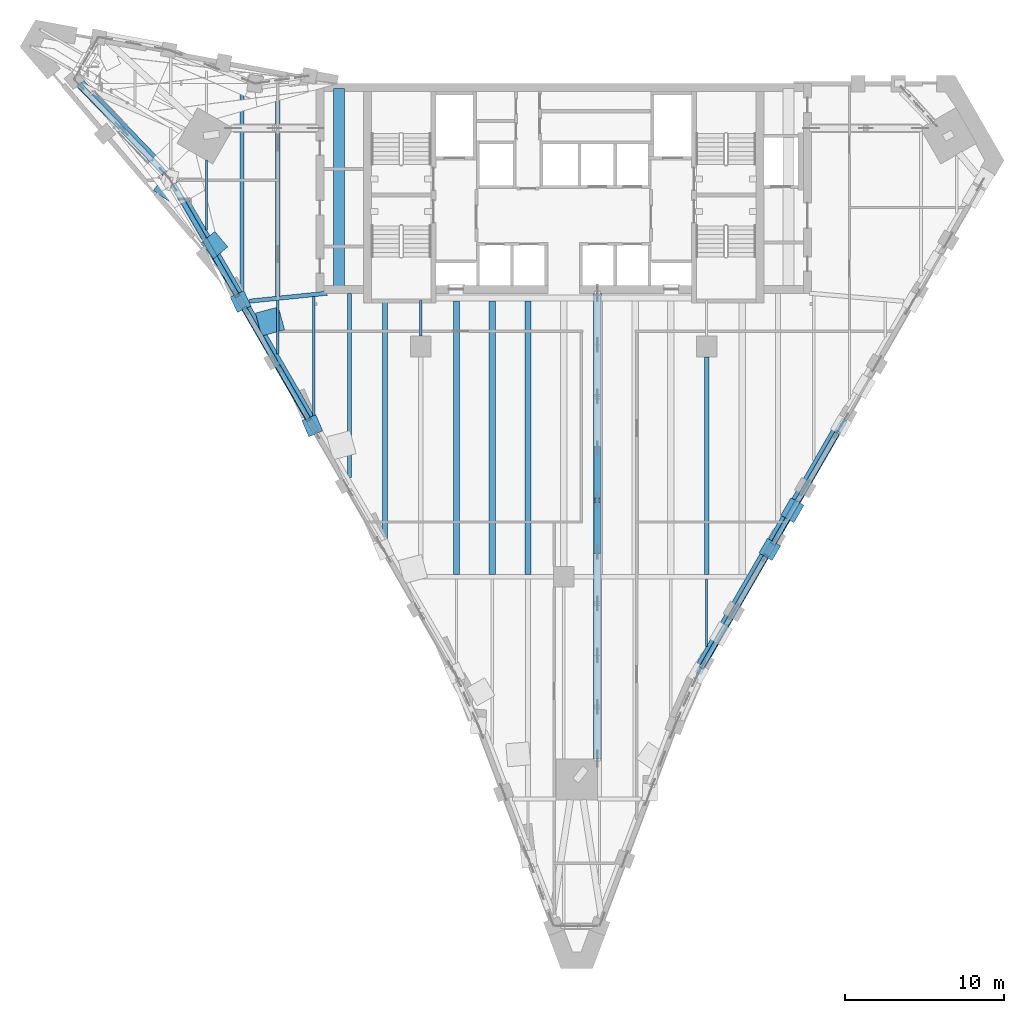
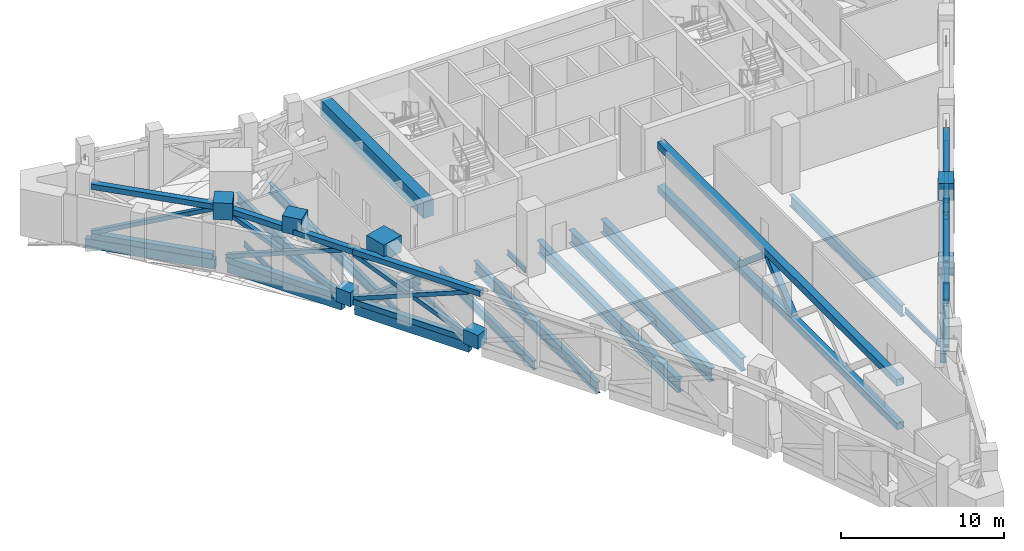
# One storey, part 3 of 22: 27 beams, 27 members.
"""IFC4 building model written with IfcOpenShell, lengths in metres."""

import ifcopenshell
import ifcopenshell.guid

model = None  # the IFC model being written
_history = None  # IfcOwnerHistory: only IFC2X3 demands one
_inside = {}  # id of a spatial element -> (the spatial element, [elements in it])
_under = {}  # id of a project, library or spatial element -> (it, [spatial elements below it])
_declared = {}  # id of a project -> (the project, [libraries it declares])
_typed = {}  # id of a type object -> (the type object, [elements of that type])
_made_of = {}  # id of a material, layer set ... -> (it, [elements and type objects made of it])


def new_model(schema):
    """Start an empty IFC model of exactly this schema.

    Asked for "IFC4X3", IfcOpenShell would pick the latest addendum, in which some entities
    have other attributes; the version numbers below select the first issue.
    IFC2X3 requires an IfcOwnerHistory on every rooted entity: one is made here for all.
    """
    global model, _history
    if schema == "IFC4X3":
        model = ifcopenshell.file(schema_version=(4, 3, 0, 0))
    else:
        model = ifcopenshell.file(schema=schema)
    _inside.clear()
    _under.clear()
    _declared.clear()
    _typed.clear()
    _made_of.clear()
    _history = None
    if model.schema == "IFC2X3":
        org = make("IfcOrganization", Name="unknown")
        user = make(
            "IfcPersonAndOrganization",
            ThePerson=make("IfcPerson", FamilyName="unknown"),
            TheOrganization=org,
        )
        app = make(
            "IfcApplication",
            ApplicationDeveloper=org,
            Version="unknown",
            ApplicationFullName="unknown",
            ApplicationIdentifier="unknown",
        )
        _history = make(
            "IfcOwnerHistory",
            OwningUser=user,
            OwningApplication=app,
            ChangeAction="ADDED",
            CreationDate=0,
        )
    return model


def make(cls, **values):
    """One entity of the class cls with the attributes given. An attribute that is None is left unset."""
    return model.create_entity(
        cls, **{name: value for name, value in values.items() if value is not None}
    )


def rooted(cls, **values):
    """An entity with a GlobalId (a new one), such as an element, a storey or a relation."""
    return make(cls, GlobalId=ifcopenshell.guid.new(), OwnerHistory=_history, **values)


def si_unit(unit_type, name, prefix=None):
    """IfcSIUnit, for example si_unit("LENGTHUNIT", "METRE", prefix="MILLI")."""
    return make("IfcSIUnit", UnitType=unit_type, Prefix=prefix, Name=name)


def assignment(units):
    """IfcUnitAssignment: the units of a project."""
    return None if units is None else make("IfcUnitAssignment", Units=units)


def point(xyz):
    """IfcCartesianPoint."""
    return None if xyz is None else make("IfcCartesianPoint", Coordinates=xyz)


def direction(xyz):
    """IfcDirection."""
    return None if xyz is None else make("IfcDirection", DirectionRatios=xyz)


def frame(location, z_axis=None, x_axis=None):
    """IfcAxis2Placement3D, a coordinate frame: its origin and axes. An axis left out is left unset."""
    return make(
        "IfcAxis2Placement3D",
        Location=point(location),
        Axis=direction(z_axis),
        RefDirection=direction(x_axis),
    )


def frame_2d(location, x_axis=None):
    """IfcAxis2Placement2D, a coordinate frame in the plane: its origin and x axis."""
    return make(
        "IfcAxis2Placement2D", Location=point(location), RefDirection=direction(x_axis)
    )


def origin():
    """The frame at (0, 0, 0) with its axes left unset."""
    return frame((0.0, 0.0, 0.0))


def origin_2d():
    """The frame at (0, 0) in the plane with its x axis left unset."""
    return frame_2d((0.0, 0.0))


def place(relative_to, where):
    """IfcLocalPlacement: puts the frame where relative to a parent placement (None: the world)."""
    return make(
        "IfcLocalPlacement", PlacementRelTo=relative_to, RelativePlacement=where
    )


def context(
    kind, dimensions, precision=None, world=None, true_north=None, identifier=None
):
    """IfcGeometricRepresentationContext, for example the 3D "Model" context."""
    return make(
        "IfcGeometricRepresentationContext",
        ContextIdentifier=identifier,
        ContextType=kind,
        CoordinateSpaceDimension=dimensions,
        Precision=precision,
        WorldCoordinateSystem=world,
        TrueNorth=true_north,
    )


def subcontext(parent, identifier, kind, view, scale=None):
    """IfcGeometricRepresentationSubContext, for example "Body" below "Model"."""
    return make(
        "IfcGeometricRepresentationSubContext",
        ContextIdentifier=identifier,
        ContextType=kind,
        ParentContext=parent,
        TargetScale=scale,
        TargetView=view,
    )


def project(units=None, contexts=None):
    """IfcProject with its units and contexts."""
    return rooted(
        "IfcProject",
        Name="project",
        RepresentationContexts=contexts,
        UnitsInContext=assignment(units),
    )


def spatial(cls, under=None, at=None, **own):
    """A site, building, storey or space (cls), placed at a placement, below another one or the project."""
    s = rooted(cls, ObjectPlacement=at, **own)
    if under is not None:
        _under.setdefault(under.id(), (under, []))[1].append(s)
    return s


def profile(cls, at=None, kind="AREA", **sizes):
    """A parametric profile (cls). Its sizes go by their IFC names, for example OverallWidth=200.0."""
    return make(cls, ProfileType=kind, Position=at, **sizes)


def rectangle(**sizes):
    """IfcRectangleProfileDef."""
    return profile("IfcRectangleProfileDef", **sizes)


def hollow_rectangle(**sizes):
    """IfcRectangleHollowProfileDef."""
    return profile("IfcRectangleHollowProfileDef", **sizes)


def i_section(**sizes):
    """IfcIShapeProfileDef."""
    return profile("IfcIShapeProfileDef", **sizes)


def extrude(swept, where, along, depth):
    """IfcExtrudedAreaSolid: the profile swept, set in the frame where, extruded along a direction by depth."""
    return make(
        "IfcExtrudedAreaSolid",
        SweptArea=swept,
        Position=where,
        ExtrudedDirection=direction(along),
        Depth=depth,
    )


def shape(context_of_items, identifier, shape_type, items):
    """IfcShapeRepresentation: the items that make up one representation, for example the "Body"."""
    return make(
        "IfcShapeRepresentation",
        ContextOfItems=context_of_items,
        RepresentationIdentifier=identifier,
        RepresentationType=shape_type,
        Items=items,
    )


def material(Name=None, Category=None):
    """IfcMaterial."""
    return make("IfcMaterial", Name=Name, Category=Category)


def material_profile(
    of_material, cross_section, Name=None, Category=None, Priority=None
):
    """IfcMaterialProfile: a cross section and its material."""
    return make(
        "IfcMaterialProfile",
        Name=Name,
        Material=of_material,
        Profile=cross_section,
        Priority=Priority,
        Category=Category,
    )


def profile_set(profiles, Name=None, composite=None):
    """IfcMaterialProfileSet."""
    return make(
        "IfcMaterialProfileSet",
        Name=Name,
        MaterialProfiles=profiles,
        CompositeProfile=composite,
    )


def made_of(thing, what):
    """Note that an element or type object is made of a material, layer set ...; save() writes the relation."""
    if what is not None:
        _made_of.setdefault(what.id(), (what, []))[1].append(thing)
    return thing


def type_object(cls, material=None, **own):
    """A type object (cls), such as IfcWallType, which elements share."""
    return made_of(rooted(cls, **own), material)


def element(
    cls,
    number,
    at=None,
    inside=None,
    cuts=None,
    type_object=None,
    material=None,
    context=None,
    identifier="Body",
    shape_type=None,
    held_by="IfcProductDefinitionShape",
    body=None,
    shapes=None,
    **own,
):
    """One element of the class cls, such as IfcWall. Its Tag is "e" and its number.

    at: its placement. inside: the storey or other place that contains it. cuts: it is an
    opening in that element (IfcRelVoidsElement). A single representation is given by context,
    identifier, shape_type and body (its items); several are given by shapes. held_by: the class
    of the entity that holds the representations. save() writes the other relations.
    """
    e = rooted(cls, Tag="e%d" % number, ObjectPlacement=at, **own)
    if body is not None:
        shapes = [shape(context, identifier, shape_type, body)]
    if shapes is not None:
        e.Representation = make(held_by, Representations=shapes)
    if inside is not None:
        _inside.setdefault(inside.id(), (inside, []))[1].append(e)
    if cuts is not None:
        rooted(
            "IfcRelVoidsElement", RelatingBuildingElement=cuts, RelatedOpeningElement=e
        )
    if type_object is not None:
        _typed.setdefault(type_object.id(), (type_object, []))[1].append(e)
    return made_of(e, material)


def aggregate(whole, parts):
    """IfcRelAggregates: a whole, such as a stair, and the parts it consists of."""
    return rooted("IfcRelAggregates", RelatingObject=whole, RelatedObjects=parts)


def save(model, path):
    """Write the relations noted so far, then the file.

    IfcRelAggregates (storeys below a building ...), IfcRelContainedInSpatialStructure (elements
    in a storey), IfcRelDefinesByType, IfcRelAssociatesMaterial and IfcRelDeclares: one each for
    every whole, place, type object, material and project.
    """
    for whole, parts in _under.values():
        aggregate(whole, parts)
    for where, things in _inside.values():
        rooted(
            "IfcRelContainedInSpatialStructure",
            RelatedElements=things,
            RelatingStructure=where,
        )
    for kind, things in _typed.values():
        rooted("IfcRelDefinesByType", RelatedObjects=things, RelatingType=kind)
    for what, things in _made_of.values():
        rooted("IfcRelAssociatesMaterial", RelatedObjects=things, RelatingMaterial=what)
    for by, libraries in _declared.values():
        rooted("IfcRelDeclares", RelatingContext=by, RelatedDefinitions=libraries)
    model.write(path)


model = new_model("IFC4")

# Units and contexts
model_context = context("Model", 3, precision=1e-05, world=origin(), true_north=direction((0.0, 1.0)))
body_context = subcontext(model_context, "Body", "Model", "MODEL_VIEW")
ifc_project = project(units=[si_unit("LENGTHUNIT", "METRE"), si_unit("AREAUNIT", "SQUARE_METRE"), si_unit("VOLUMEUNIT", "CUBIC_METRE"), si_unit("PLANEANGLEUNIT", "RADIAN"), si_unit("MASSUNIT", "GRAM", prefix="KILO")], contexts=[model_context])

# Site, building, storey
site_placement = place(None, origin())
site = spatial("IfcSite", under=ifc_project, at=site_placement, CompositionType="ELEMENT")
building_placement = place(site_placement, origin())
building = spatial("IfcBuilding", under=site, at=building_placement, Name="Calabash Gate Tower", CompositionType="ELEMENT")
storey_placement = place(building_placement, frame((0.0, 0.0, 191.39990234375)))
storey = spatial("IfcBuildingStorey", under=building, at=storey_placement, Name="L45", CompositionType="ELEMENT", Elevation=191.39990234375)

# Members
ifc_material_1 = material(Name="Steel ASTM A500 Gr C", Category="steel")
ifc_material_profile_1 = material_profile(ifc_material_1, hollow_rectangle(XDim=0.406494140625, YDim=0.406494140625, WallThickness=0.015869140625, at=origin_2d()))
ifc_profile_set_1 = profile_set([ifc_material_profile_1], Name="Steel ASTM A500 Gr C")
member_type_1 = type_object("IfcMemberType", Name="Belt truss chord HSS16X16X.625 ASTM A500 Gr C", PredefinedType="CHORD", material=ifc_profile_set_1)
member_1_placement = place(storey_placement, frame((8.69677734375, -17.692626953125, 0.203369140625), z_axis=(0.499977274689, 0.866038523851, 0.0), x_axis=(-0.866038523851, 0.499977274689, 0.0)))
element("IfcMember", 1, at=member_1_placement, inside=storey, type_object=member_type_1, Name="Belt chord L45 41", PredefinedType="CHORD", context=body_context, shape_type="SweptSolid", body=[
    extrude(hollow_rectangle(XDim=0.406494140625, YDim=0.406494140625, WallThickness=0.015869140625, at=origin_2d()), origin(), (0.0, 0.0, 1.0), 8.10009765625),
])
member_2_placement = place(storey_placement, frame((8.470947265625, -18.0830078125, 3.927001953125), z_axis=(0.500010016514, 0.86601962067, 0.0), x_axis=(-0.86601962067, 0.500010016514, 0.0)))
element("IfcMember", 2, at=member_2_placement, inside=storey, type_object=member_type_1, Name="Belt chord L45 42", PredefinedType="CHORD", context=body_context, shape_type="SweptSolid", body=[
    extrude(hollow_rectangle(XDim=0.406494140625, YDim=0.406494140625, WallThickness=0.015869140625, at=origin_2d()), origin(), (0.0, 0.0, 1.0), 9.455810546875),
])
member_3_placement = place(storey_placement, frame((13.19677734375, -9.898193359375, 0.203369140625), z_axis=(0.499990325971, 0.866030989016, 0.0), x_axis=(-0.866030989016, 0.499990325971, 0.0)))
element("IfcMember", 3, at=member_3_placement, inside=storey, type_object=member_type_1, Name="Belt chord L45 46", PredefinedType="CHORD", context=body_context, shape_type="SweptSolid", body=[
    extrude(hollow_rectangle(XDim=0.406494140625, YDim=0.406494140625, WallThickness=0.015869140625, at=origin_2d()), origin(), (0.0, 0.0, 1.0), 8.099853515625),
])
member_4_placement = place(storey_placement, frame((13.19677734375, -9.898193359375, 3.927001953125), z_axis=(0.499997052475, 0.866027105532, 0.0), x_axis=(-0.866027105532, 0.499997052475, 0.0)))
element("IfcMember", 4, at=member_4_placement, inside=storey, type_object=member_type_1, Name="Belt chord L45 47", PredefinedType="CHORD", context=body_context, shape_type="SweptSolid", body=[
    extrude(hollow_rectangle(XDim=0.406494140625, YDim=0.406494140625, WallThickness=0.015869140625, at=origin_2d()), origin(), (0.0, 0.0, 1.0), 9.00439453125),
])
member_5_placement = place(storey_placement, frame((-30.514892578125, 18.997802734375, 0.203369140625), z_axis=(0.693793096856, -0.720174380796, 0.0), x_axis=(0.720174380796, 0.693793096856, 0.0)))
element("IfcMember", 5, at=member_5_placement, inside=storey, type_object=member_type_1, Name="Belt chord L45 86", PredefinedType="CHORD", context=body_context, shape_type="SweptSolid", body=[
    extrude(hollow_rectangle(XDim=0.406494140625, YDim=0.406494140625, WallThickness=0.015869140625, at=origin_2d()), origin(), (0.0, 0.0, 1.0), 7.745849609375),
])
member_6_placement = place(storey_placement, frame((-30.514892578125, 18.997802734375, 3.927001953125), z_axis=(0.693802538061, -0.72016528532, 0.0), x_axis=(0.72016528532, 0.693802538061, 0.0)))
element("IfcMember", 6, at=member_6_placement, inside=storey, type_object=member_type_1, Name="Belt chord L45 87", PredefinedType="CHORD", context=body_context, shape_type="SweptSolid", body=[
    extrude(hollow_rectangle(XDim=0.406494140625, YDim=0.406494140625, WallThickness=0.015869140625, at=origin_2d()), origin(), (0.0, 0.0, 1.0), 7.816162109375),
])
member_7_placement = place(storey_placement, frame((-24.599365234375, 12.698486328125, 0.203369140625), z_axis=(0.500013195037, -0.866017785492, 0.0), x_axis=(0.866017785492, 0.500013195037, 0.0)))
element("IfcMember", 7, at=member_7_placement, inside=storey, type_object=member_type_1, Name="Belt chord L45 91", PredefinedType="CHORD", context=body_context, shape_type="SweptSolid", body=[
    extrude(hollow_rectangle(XDim=0.406494140625, YDim=0.406494140625, WallThickness=0.015869140625, at=origin_2d()), origin(), (0.0, 0.0, 1.0), 8.092529296875),
])
member_8_placement = place(storey_placement, frame((-24.599365234375, 12.698486328125, 3.927001953125), z_axis=(0.50002307813, -0.86601207921, 0.0), x_axis=(0.86601207921, 0.50002307813, 0.0)))
element("IfcMember", 8, at=member_8_placement, inside=storey, type_object=member_type_1, Name="Belt chord L45 92", PredefinedType="CHORD", context=body_context, shape_type="SweptSolid", body=[
    extrude(hollow_rectangle(XDim=0.406494140625, YDim=0.406494140625, WallThickness=0.015869140625, at=origin_2d()), origin(), (0.0, 0.0, 1.0), 8.998046875),
])
member_9_placement = place(storey_placement, frame((-20.10302734375, 4.91064453125, 0.203369140625), z_axis=(0.500012932018, -0.866017937352, 0.0), x_axis=(0.866017937352, 0.500012932018, 0.0)))
element("IfcMember", 9, at=member_9_placement, inside=storey, type_object=member_type_1, Name="Belt chord L45 96", PredefinedType="CHORD", context=body_context, shape_type="SweptSolid", body=[
    extrude(hollow_rectangle(XDim=0.406494140625, YDim=0.406494140625, WallThickness=0.015869140625, at=origin_2d()), origin(), (0.0, 0.0, 1.0), 8.099853515625),
])
member_10_placement = place(storey_placement, frame((-20.10302734375, 4.91064453125, 3.927001953125), z_axis=(0.50003457322, -0.866005442006, 0.0), x_axis=(0.866005442006, 0.50003457322, 0.0)))
element("IfcMember", 10, at=member_10_placement, inside=storey, type_object=member_type_1, Name="Belt chord L45 97", PredefinedType="CHORD", context=body_context, shape_type="SweptSolid", body=[
    extrude(hollow_rectangle(XDim=0.406494140625, YDim=0.406494140625, WallThickness=0.015869140625, at=origin_2d()), origin(), (0.0, 0.0, 1.0), 9.005126953125),
])
ifc_material_2 = material(Name="Steel ASTM A500 Gr C", Category="steel")
ifc_material_profile_2 = material_profile(ifc_material_2, hollow_rectangle(XDim=0.3046875, YDim=0.3046875, WallThickness=0.0126953125, at=origin_2d()))
ifc_profile_set_2 = profile_set([ifc_material_profile_2], Name="Steel ASTM A500 Gr C")
member_type_2 = type_object("IfcMemberType", Name="Belt truss diagonal HSS12X12X.500 ASTM A500 Gr C", PredefinedType="BRACE", material=ifc_profile_set_2)
member_11_placement = place(storey_placement, frame((8.69677734375, -17.692626953125, 0.406494140625), z_axis=(0.462682120409, 0.801437506976, 0.37897648722), x_axis=(-0.866038523851, 0.499977274689, 0.0)))
element("IfcMember", 11, at=member_11_placement, inside=storey, type_object=member_type_2, Name="Belt diagonal L45 43", PredefinedType="BRACE", context=body_context, shape_type="SweptSolid", body=[
    extrude(hollow_rectangle(XDim=0.3046875, YDim=0.3046875, WallThickness=0.0126953125, at=origin_2d()), origin(), (0.0, 0.0, 1.0), 8.7529296875),
])
for number, where, z_axis, x_axis, name in (
    (12, (8.69677734375, -17.692626953125, 3.7236328125), (0.462679271023, 0.801441269637, -0.378972008846), (-0.866040873467, 0.499973204766, 0.0), "Belt diagonal (split) L45 44 half 1 of 2"),
    (13, (10.822265625, -14.010986328125, 1.982666015625), (0.462679271023, 0.801441269637, -0.378972008846), (-0.866040873467, 0.499973204766, 0.0), "Belt diagonal (split) L45 45 half 2 of 2"),
):
    element("IfcMember", number, at=place(storey_placement, frame(where, z_axis=z_axis, x_axis=x_axis)), inside=storey, type_object=member_type_2, Name=name, PredefinedType="BRACE", context=body_context, shape_type="SweptSolid", body=[
        extrude(hollow_rectangle(XDim=0.3046875, YDim=0.3046875, WallThickness=0.0126953125, at=origin_2d()), origin(), (0.0, 0.0, 1.0), 4.1591796875),
    ])
member_12_placement = place(storey_placement, frame((13.19677734375, -9.898193359375, 0.406494140625), z_axis=(0.462692463446, 0.801427529524, 0.378984959057), x_axis=(-0.866030989016, 0.499990325971, 0.0)))
element("IfcMember", 14, at=member_12_placement, inside=storey, type_object=member_type_2, Name="Belt diagonal L45 48", PredefinedType="BRACE", context=body_context, shape_type="SweptSolid", body=[
    extrude(hollow_rectangle(XDim=0.3046875, YDim=0.3046875, WallThickness=0.0126953125, at=origin_2d()), origin(), (0.0, 0.0, 1.0), 8.752685546875),
])
for number, where, z_axis, x_axis, name in (
    (15, (13.19677734375, -9.898193359375, 3.7236328125), (0.462679271023, 0.801441269637, -0.378972008846), (-0.866040873467, 0.499973204766, 0.0), "Belt diagonal (split) L45 49 half 1 of 2"),
    (16, (15.322265625, -6.216796875, 1.982666015625), (0.462679271023, 0.801441269637, -0.378972008846), (-0.866040873467, 0.499973204766, 0.0), "Belt diagonal (split) L45 50 half 2 of 2"),
):
    element("IfcMember", number, at=place(storey_placement, frame(where, z_axis=z_axis, x_axis=x_axis)), inside=storey, type_object=member_type_2, Name=name, PredefinedType="BRACE", context=body_context, shape_type="SweptSolid", body=[
        extrude(hollow_rectangle(XDim=0.3046875, YDim=0.3046875, WallThickness=0.0126953125, at=origin_2d()), origin(), (0.0, 0.0, 1.0), 4.1591796875),
    ])
member_13_placement = place(storey_placement, frame((-30.514892578125, 18.997802734375, 0.406494140625), z_axis=(0.637771433578, -0.662022509805, 0.39366711194), x_axis=(0.720174380796, 0.693793096856, 0.0)))
element("IfcMember", 17, at=member_13_placement, inside=storey, type_object=member_type_2, Name="Belt diagonal L45 88", PredefinedType="BRACE", context=body_context, shape_type="SweptSolid", body=[
    extrude(hollow_rectangle(XDim=0.3046875, YDim=0.3046875, WallThickness=0.0126953125, at=origin_2d()), origin(), (0.0, 0.0, 1.0), 8.42626953125),
])
member_14_placement = place(storey_placement, frame((-24.599365234375, 12.698486328125, 0.406494140625), z_axis=(0.462654431203, -0.801312785212, 0.379273908335), x_axis=(0.866017785492, 0.500013195037, 0.0)))
element("IfcMember", 18, at=member_14_placement, inside=storey, type_object=member_type_2, Name="Belt diagonal L45 93", PredefinedType="BRACE", context=body_context, shape_type="SweptSolid", body=[
    extrude(hollow_rectangle(XDim=0.3046875, YDim=0.3046875, WallThickness=0.0126953125, at=origin_2d()), origin(), (0.0, 0.0, 1.0), 8.74609375),
])
for number, where, z_axis, x_axis, name in (
    (19, (-24.599365234375, 12.698486328125, 3.7236328125), (0.462685412717, -0.801298759454, -0.379265747143), (0.865999496279, 0.500044870432, 0.0), "Belt diagonal (split) L45 94 half 1 of 2"),
    (20, (-22.4755859375, 9.020263671875, 1.982666015625), (0.462639240857, -0.801320539085, -0.379276055743), (0.866026989333, 0.499997253739, 0.0), "Belt diagonal (split) L45 95 half 2 of 2"),
):
    element("IfcMember", number, at=place(storey_placement, frame(where, z_axis=z_axis, x_axis=x_axis)), inside=storey, type_object=member_type_2, Name=name, PredefinedType="BRACE", context=body_context, shape_type="SweptSolid", body=[
        extrude(hollow_rectangle(XDim=0.3046875, YDim=0.3046875, WallThickness=0.0126953125, at=origin_2d()), origin(), (0.0, 0.0, 1.0), 4.15576171875),
    ])
member_15_placement = place(storey_placement, frame((-20.10302734375, 4.91064453125, 0.406494140625), z_axis=(0.462714384728, -0.801417186208, 0.378980067834), x_axis=(0.866017937352, 0.500012932018, 0.0)))
element("IfcMember", 21, at=member_15_placement, inside=storey, type_object=member_type_2, Name="Belt diagonal L45 98", PredefinedType="BRACE", context=body_context, shape_type="SweptSolid", body=[
    extrude(hollow_rectangle(XDim=0.3046875, YDim=0.3046875, WallThickness=0.0126953125, at=origin_2d()), origin(), (0.0, 0.0, 1.0), 8.752685546875),
])
for number, where, z_axis, x_axis, name in (
    (22, (-20.10302734375, 4.91064453125, 3.7236328125), (0.462725403696, -0.801419502304, -0.378961715878), (0.866013407032, 0.50002077841, 0.0), "Belt diagonal (split) L45 99 half 1 of 2"),
    (23, (-17.9775390625, 1.229248046875, 1.982666015625), (0.462725403696, -0.801419502304, -0.378961715878), (0.866013407032, 0.50002077841, 0.0), "Belt diagonal (split) L45 100 half 2 of 2"),
):
    element("IfcMember", number, at=place(storey_placement, frame(where, z_axis=z_axis, x_axis=x_axis)), inside=storey, type_object=member_type_2, Name=name, PredefinedType="BRACE", context=body_context, shape_type="SweptSolid", body=[
        extrude(hollow_rectangle(XDim=0.3046875, YDim=0.3046875, WallThickness=0.0126953125, at=origin_2d()), origin(), (0.0, 0.0, 1.0), 4.1591796875),
    ])

# Beams
ifc_material_3 = material(Name="Concrete C80/95", Category="concrete")
ifc_material_profile_3 = material_profile(ifc_material_3, rectangle(XDim=0.699951171875, YDim=1.25, at=origin_2d()))
ifc_profile_set_3 = profile_set([ifc_material_profile_3], Name="Concrete C80/95")
beam_type_1 = type_object("IfcBeamType", Name="Core wall transfer beam RC 700x1250 Concrete C80/95", PredefinedType="BEAM", material=ifc_profile_set_3)
beam_1_placement = place(storey_placement, frame((-14.14990234375, 6.153076171875, 4.20703125), z_axis=(0.0, 1.0, 0.0), x_axis=(-1.0, 0.0, 0.0)))
element("IfcBeam", 24, at=beam_1_placement, inside=storey, type_object=beam_type_1, Name="Core wall transfer beam L45 1", PredefinedType="BEAM", context=body_context, shape_type="SweptSolid", body=[
    extrude(rectangle(XDim=0.699951171875, YDim=1.25, at=origin_2d()), origin(), (0.0, 0.0, 1.0), 12.599853515625),
])
ifc_material_4 = material(Name="Concrete C50/60", Category="concrete")
ifc_material_profile_4 = material_profile(ifc_material_4, rectangle(XDim=0.39990234375, YDim=0.699951171875, at=origin_2d()))
ifc_profile_set_4 = profile_set([ifc_material_profile_4], Name="Concrete C50/60")
beam_type_2 = type_object("IfcBeamType", Name="Edge beam RC 400x700 Concrete C50/60", PredefinedType="BEAM", material=ifc_profile_set_4)
for number, where, z_axis, x_axis, name in (
    (25, (8.52294921875, -17.593017578125, -0.52001953125), (0.499986829629, 0.866033007568, 0.0), (-0.866033007568, 0.499986829629, 0.0), "Edge beam L45 11"),
    (26, (13.02294921875, -9.798095703125, -0.52001953125), (0.499986829629, 0.866033007568, 0.0), (-0.866033007568, 0.499986829629, 0.0), "Edge beam L45 12"),
):
    element("IfcBeam", number, at=place(storey_placement, frame(where, z_axis=z_axis, x_axis=x_axis)), inside=storey, type_object=beam_type_2, Name=name, PredefinedType="BEAM", context=body_context, shape_type="SweptSolid", body=[
        extrude(rectangle(XDim=0.39990234375, YDim=0.699951171875, at=origin_2d()), origin(), (0.0, 0.0, 1.0), 8.100341796875),
    ])
beam_2_placement = place(storey_placement, frame((-30.68408203125, 19.4609375, -0.52001953125), z_axis=(0.69387040643, -0.720099895209, 0.0), x_axis=(0.720099895209, 0.69387040643, 0.0)))
element("IfcBeam", 27, at=beam_2_placement, inside=storey, type_object=beam_type_2, Name="Edge beam L45 22", PredefinedType="BEAM", context=body_context, shape_type="SweptSolid", body=[
    extrude(rectangle(XDim=0.39990234375, YDim=0.699951171875, at=origin_2d()), origin(), (0.0, 0.0, 1.0), 8.265380859375),
])
beam_3_placement = place(storey_placement, frame((-24.429931640625, 12.806884765625, -0.52001953125), z_axis=(0.49989548915, -0.866085734744, 0.0), x_axis=(0.866085734744, 0.49989548915, 0.0)))
element("IfcBeam", 28, at=beam_3_placement, inside=storey, type_object=beam_type_2, Name="Edge beam L45 23", PredefinedType="BEAM", context=body_context, shape_type="SweptSolid", body=[
    extrude(rectangle(XDim=0.39990234375, YDim=0.699951171875, at=origin_2d()), origin(), (0.0, 0.0, 1.0), 8.101806640625),
])
beam_4_placement = place(storey_placement, frame((-19.929931640625, 5.010986328125, -0.52001953125), z_axis=(0.499999880539, -0.866025472755, 0.0), x_axis=(0.866025472755, 0.499999880539, 0.0)))
element("IfcBeam", 29, at=beam_4_placement, inside=storey, type_object=beam_type_2, Name="Edge beam L45 24", PredefinedType="BEAM", context=body_context, shape_type="SweptSolid", body=[
    extrude(rectangle(XDim=0.39990234375, YDim=0.699951171875, at=origin_2d()), origin(), (0.0, 0.0, 1.0), 8.10009765625),
])
ifc_material_5 = material(Name="Steel ASTM A992 Gr50", Category="steel")
ifc_material_profile_5 = material_profile(ifc_material_5, i_section(OverallWidth=0.1396484375, OverallDepth=0.398681640625, WebThickness=0.00634765625, FlangeThickness=0.0087890625, FilletRadius=0.01025390625, at=origin_2d()))
ifc_profile_set_5 = profile_set([ifc_material_profile_5], Name="Steel ASTM A992 Gr50")
beam_type_3 = type_object("IfcBeamType", Name="Floor beam W16x26 ASTM A992 Gr50", PredefinedType="BEAM", material=ifc_profile_set_5)
beam_5_placement = place(storey_placement, frame((-22.5, 9.85009765625, -0.368896484375), z_axis=(0.0, 1.0, 0.0), x_axis=(-1.0, 0.0, 0.0)))
element("IfcBeam", 30, at=beam_5_placement, inside=storey, type_object=beam_type_3, Name="Floor beam L45 5", PredefinedType="BEAM", context=body_context, shape_type="SweptSolid", body=[
    extrude(i_section(OverallWidth=0.1396484375, OverallDepth=0.398681640625, WebThickness=0.00634765625, FlangeThickness=0.0087890625, FilletRadius=0.01025390625, at=origin_2d()), origin(), (0.0, 0.0, 1.0), 4.40283203125),
])
beam_6_placement = place(storey_placement, frame((-18.0, 2.035888671875, -0.368896484375), z_axis=(0.0, 1.0, 0.0), x_axis=(-1.0, 0.0, 0.0)))
element("IfcBeam", 31, at=beam_6_placement, inside=storey, type_object=beam_type_3, Name="Floor beam L45 8", PredefinedType="BEAM", context=body_context, shape_type="SweptSolid", body=[
    extrude(i_section(OverallWidth=0.1396484375, OverallDepth=0.398681640625, WebThickness=0.00634765625, FlangeThickness=0.0087890625, FilletRadius=0.01025390625, at=origin_2d()), origin(), (0.0, 0.0, 1.0), 3.39111328125),
])
beam_7_placement = place(storey_placement, frame((-9.0, 3.14990234375, -0.368896484375), z_axis=(0.0, 1.0, 0.0), x_axis=(-1.0, 0.0, 0.0)))
element("IfcBeam", 32, at=beam_7_placement, inside=storey, type_object=beam_type_3, Name="Floor beam L45 14", PredefinedType="BEAM", context=body_context, shape_type="SweptSolid", body=[
    extrude(i_section(OverallWidth=0.1396484375, OverallDepth=0.398681640625, WebThickness=0.00634765625, FlangeThickness=0.0087890625, FilletRadius=0.01025390625, at=origin_2d()), origin(), (0.0, 0.0, 1.0), 2.253173828125),
])
beam_8_placement = place(storey_placement, frame((9.0, -16.37890625, -0.368896484375), z_axis=(0.0, 1.0, 0.0), x_axis=(-1.0, 0.0, 0.0)))
element("IfcBeam", 33, at=beam_8_placement, inside=storey, type_object=beam_type_3, Name="Floor beam L45 32", PredefinedType="BEAM", context=body_context, shape_type="SweptSolid", body=[
    extrude(i_section(OverallWidth=0.1396484375, OverallDepth=0.398681640625, WebThickness=0.00634765625, FlangeThickness=0.0087890625, FilletRadius=0.01025390625, at=origin_2d()), origin(), (0.0, 0.0, 1.0), 4.245849609375),
])
ifc_material_6 = material(Name="Steel ASTM A992 Gr50", Category="steel")
ifc_material_profile_6 = material_profile(ifc_material_6, i_section(OverallWidth=0.15234375, OverallDepth=0.44970703125, WebThickness=0.007568359375, FlangeThickness=0.0107421875, FilletRadius=0.01025390625, at=origin_2d()))
ifc_profile_set_6 = profile_set([ifc_material_profile_6], Name="Steel ASTM A992 Gr50")
beam_type_4 = type_object("IfcBeamType", Name="Floor beam W18x35 ASTM A992 Gr50", PredefinedType="BEAM", material=ifc_profile_set_6)
beam_9_placement = place(storey_placement, frame((-15.75, -1.861083984375, -0.392822265625), z_axis=(0.0, 1.0, 0.0), x_axis=(-1.0, 0.0, 0.0)))
element("IfcBeam", 34, at=beam_9_placement, inside=storey, type_object=beam_type_4, Name="Floor beam L45 10", PredefinedType="BEAM", context=body_context, shape_type="SweptSolid", body=[
    extrude(i_section(OverallWidth=0.15234375, OverallDepth=0.44970703125, WebThickness=0.007568359375, FlangeThickness=0.0107421875, FilletRadius=0.01025390625, at=origin_2d()), origin(), (0.0, 0.0, 1.0), 7.51806640625),
])
ifc_material_7 = material(Name="Steel ASTM A992 Gr50", Category="steel")
ifc_material_profile_7 = material_profile(ifc_material_7, i_section(OverallWidth=0.25390625, OverallDepth=0.67822265625, WebThickness=0.01171875, FlangeThickness=0.016357421875, FilletRadius=0.01513671875, at=origin_2d()))
ifc_profile_set_7 = profile_set([ifc_material_profile_7], Name="Steel ASTM A992 Gr50")
beam_type_5 = type_object("IfcBeamType", Name="Floor beam W27x84 ASTM A992 Gr50", PredefinedType="BEAM", material=ifc_profile_set_7)
beam_10_placement = place(storey_placement, frame((-13.5, -5.758056640625, -0.5087890625), z_axis=(0.0, 1.0, 0.0), x_axis=(-1.0, 0.0, 0.0)))
element("IfcBeam", 35, at=beam_10_placement, inside=storey, type_object=beam_type_5, Name="Floor beam L45 11", PredefinedType="BEAM", context=body_context, shape_type="SweptSolid", body=[
    extrude(i_section(OverallWidth=0.25390625, OverallDepth=0.67822265625, WebThickness=0.01171875, FlangeThickness=0.016357421875, FilletRadius=0.01513671875, at=origin_2d()), origin(), (0.0, 0.0, 1.0), 11.611083984375),
])
ifc_material_8 = material(Name="Steel ASTM A992 Gr50", Category="steel")
ifc_material_profile_8 = material_profile(ifc_material_8, i_section(OverallWidth=0.2666015625, OverallDepth=0.7568359375, WebThickness=0.013916015625, FlangeThickness=0.019287109375, FilletRadius=0.0166015625, at=origin_2d()))
ifc_profile_set_8 = profile_set([ifc_material_profile_8], Name="Steel ASTM A992 Gr50")
beam_type_6 = type_object("IfcBeamType", Name="Floor beam W30x108 ASTM A992 Gr50", PredefinedType="BEAM", material=ifc_profile_set_8)
beam_11_placement = place(storey_placement, frame((-20.25, 5.93310546875, -0.5478515625), z_axis=(0.0, 1.0, 0.0), x_axis=(-1.0, 0.0, 0.0)))
element("IfcBeam", 36, at=beam_11_placement, inside=storey, type_object=beam_type_6, Name="Floor beam L45 7", PredefinedType="BEAM", context=body_context, shape_type="SweptSolid", body=[
    extrude(i_section(OverallWidth=0.2666015625, OverallDepth=0.7568359375, WebThickness=0.013916015625, FlangeThickness=0.019287109375, FilletRadius=0.0166015625, at=origin_2d()), origin(), (0.0, 0.0, 1.0), 13.02392578125),
])
beam_12_placement = place(storey_placement, frame((-18.0, 5.65087890625, -0.5478515625), z_axis=(0.0, 1.0, 0.0), x_axis=(-1.0, 0.0, 0.0)))
element("IfcBeam", 37, at=beam_12_placement, inside=storey, type_object=beam_type_6, Name="Floor beam L45 9", PredefinedType="BEAM", context=body_context, shape_type="SweptSolid", body=[
    extrude(i_section(OverallWidth=0.2666015625, OverallDepth=0.7568359375, WebThickness=0.013916015625, FlangeThickness=0.019287109375, FilletRadius=0.0166015625, at=origin_2d()), origin(), (0.0, 0.0, 1.0), 13.238037109375),
])
ifc_material_9 = material(Name="Steel ASTM A992 Gr50", Category="steel")
ifc_material_profile_9 = material_profile(ifc_material_9, i_section(OverallWidth=0.2919921875, OverallDepth=0.845703125, WebThickness=0.015380859375, FlangeThickness=0.0244140625, FilletRadius=0.017822265625, at=origin_2d()))
ifc_profile_set_9 = profile_set([ifc_material_profile_9], Name="Steel ASTM A992 Gr50")
beam_type_7 = type_object("IfcBeamType", Name="Floor beam W33x141 ASTM A992 Gr50", PredefinedType="BEAM", material=ifc_profile_set_9)
beam_13_placement = place(storey_placement, frame((-11.25, -9.653076171875, -0.593017578125), z_axis=(0.0, 1.0, 0.0), x_axis=(-1.0, 0.0, 0.0)))
element("IfcBeam", 38, at=beam_13_placement, inside=storey, type_object=beam_type_7, Name="Floor beam L45 12", PredefinedType="BEAM", context=body_context, shape_type="SweptSolid", body=[
    extrude(i_section(OverallWidth=0.2919921875, OverallDepth=0.845703125, WebThickness=0.015380859375, FlangeThickness=0.0244140625, FilletRadius=0.017822265625, at=origin_2d()), origin(), (0.0, 0.0, 1.0), 15.05615234375),
])
beam_14_placement = place(storey_placement, frame((9.0, -11.866943359375, -0.593017578125), z_axis=(0.0, 1.0, 0.0), x_axis=(-1.0, 0.0, 0.0)))
element("IfcBeam", 39, at=beam_14_placement, inside=storey, type_object=beam_type_7, Name="Floor beam L45 33", PredefinedType="BEAM", context=body_context, shape_type="SweptSolid", body=[
    extrude(i_section(OverallWidth=0.2919921875, OverallDepth=0.845703125, WebThickness=0.015380859375, FlangeThickness=0.0244140625, FilletRadius=0.017822265625, at=origin_2d()), origin(), (0.0, 0.0, 1.0), 13.717041015625),
])
ifc_material_10 = material(Name="Steel ASTM A992 Gr50", Category="steel")
ifc_material_profile_10 = material_profile(ifc_material_10, i_section(OverallWidth=0.4013671875, OverallDepth=0.990478515625, WebThickness=0.0166015625, FlangeThickness=0.031005859375, FilletRadius=0.030029296875, at=origin_2d()))
ifc_profile_set_10 = profile_set([ifc_material_profile_10], Name="Steel ASTM A992 Gr50")
beam_type_8 = type_object("IfcBeamType", Name="Floor beam W40x215 ASTM A992 Gr50", PredefinedType="BEAM", material=ifc_profile_set_10)
for number, where, z_axis, x_axis, name in (
    (40, (-6.75, -11.866943359375, -0.662841796875), (0.0, 1.0, 0.0), (-1.0, 0.0, 0.0), "Floor beam L45 16"),
    (41, (-4.5, -11.866943359375, -0.662841796875), (0.0, 1.0, 0.0), (-1.0, 0.0, 0.0), "Floor beam L45 18"),
    (42, (-2.25, -11.866943359375, -0.662841796875), (0.0, 1.0, 0.0), (-1.0, 0.0, 0.0), "Floor beam L45 21"),
):
    element("IfcBeam", number, at=place(storey_placement, frame(where, z_axis=z_axis, x_axis=x_axis)), inside=storey, type_object=beam_type_8, Name=name, PredefinedType="BEAM", context=body_context, shape_type="SweptSolid", body=[
        extrude(i_section(OverallWidth=0.4013671875, OverallDepth=0.990478515625, WebThickness=0.0166015625, FlangeThickness=0.031005859375, FilletRadius=0.030029296875, at=origin_2d()), origin(), (0.0, 0.0, 1.0), 17.218994140625),
    ])
ifc_material_11 = material(Name="Steel ASTM A992 Gr50", Category="steel")
ifc_material_profile_11 = material_profile(ifc_material_11, i_section(OverallWidth=0.2666015625, OverallDepth=0.77978515625, WebThickness=0.0166015625, FlangeThickness=0.030029296875, FilletRadius=0.0166015625, at=origin_2d()))
ifc_profile_set_11 = profile_set([ifc_material_profile_11], Name="Steel ASTM A992 Gr50")
beam_type_9 = type_object("IfcBeamType", Name="Girder W30x148 ASTM A992 Gr50", PredefinedType="BEAM", material=ifc_profile_set_11)
beam_15_placement = place(storey_placement, frame((-19.787109375, 5.35595703125, -0.559814453125), z_axis=(0.994807272947, 0.101776665751, 0.0), x_axis=(-0.101776665751, 0.994807272947, 0.0)))
element("IfcBeam", 43, at=beam_15_placement, inside=storey, type_object=beam_type_9, Name="Girder L45 2", PredefinedType="BEAM", context=body_context, shape_type="SweptSolid", body=[
    extrude(i_section(OverallWidth=0.2666015625, OverallDepth=0.77978515625, WebThickness=0.0166015625, FlangeThickness=0.030029296875, FilletRadius=0.0166015625, at=origin_2d()), origin(), (0.0, 0.0, 1.0), 4.91259765625),
])

# Members
ifc_material_12 = material(Name="Steel ASTM A500 Gr C", Category="steel")
ifc_material_profile_12 = material_profile(ifc_material_12, hollow_rectangle(XDim=0.508056640625, YDim=0.508056640625, WallThickness=0.01904296875, at=origin_2d()))
ifc_profile_set_12 = profile_set([ifc_material_profile_12], Name="Steel ASTM A500 Gr C")
member_type_3 = type_object("IfcMemberType", Name="Outrigger chord HSS20X20X.750 ASTM A500 Gr C", PredefinedType="CHORD", material=ifc_profile_set_12)
for number, where, z_axis, x_axis, name in (
    (44, (2.121826171875, -23.462646484375, 0.254150390625), (0.0, 1.0, 0.0), (-1.0, 0.0, 0.0), "Outrigger chord L45 S"),
    (45, (2.121826171875, -23.462646484375, 3.526123046875), (0.0, 1.0, 0.0), (-1.0, 0.0, 0.0), "Outrigger chord L45 S"),
):
    element("IfcMember", number, at=place(storey_placement, frame(where, z_axis=z_axis, x_axis=x_axis)), inside=storey, type_object=member_type_3, Name=name, PredefinedType="CHORD", context=body_context, shape_type="SweptSolid", body=[
        extrude(hollow_rectangle(XDim=0.508056640625, YDim=0.508056640625, WallThickness=0.01904296875, at=origin_2d()), origin(), (0.0, 0.0, 1.0), 29.315185546875),
    ])
ifc_material_13 = material(Name="Steel ASTM A500 Gr C", Category="steel")
ifc_material_profile_13 = material_profile(ifc_material_13, hollow_rectangle(XDim=0.406494140625, YDim=0.406494140625, WallThickness=0.015869140625, at=origin_2d()))
ifc_profile_set_13 = profile_set([ifc_material_profile_13], Name="Steel ASTM A500 Gr C")
member_type_4 = type_object("IfcMemberType", Name="Outrigger diagonal HSS16X16X.625 ASTM A500 Gr C", PredefinedType="BRACE", material=ifc_profile_set_13)
for number, where, z_axis, x_axis, name in (
    (46, (2.121826171875, -10.43359375, 0.508056640625), (0.0, 0.762466417764, 0.64702779058), (-1.0, 0.0, 0.0), "Outrigger diagonal L45 S"),
    (47, (2.121826171875, -7.17626953125, 3.272216796875), (0.0, 0.762442491546, -0.647055984506), (-1.0, 0.0, 0.0), "Outrigger diagonal L45 S"),
):
    element("IfcMember", number, at=place(storey_placement, frame(where, z_axis=z_axis, x_axis=x_axis)), inside=storey, type_object=member_type_4, Name=name, PredefinedType="BRACE", context=body_context, shape_type="SweptSolid", body=[
        extrude(hollow_rectangle(XDim=0.406494140625, YDim=0.406494140625, WallThickness=0.015869140625, at=origin_2d()), origin(), (0.0, 0.0, 1.0), 4.27197265625),
    ])

# Beams
ifc_material_14 = material(Name="Concrete C60/75", Category="concrete")
ifc_material_profile_14 = material_profile(ifc_material_14, rectangle(XDim=1.14990234375, YDim=1.25, at=origin_2d()))
ifc_profile_set_14 = profile_set([ifc_material_profile_14], Name="Concrete C60/75")
beam_type_10 = type_object("IfcBeamType", Name="Transfer node RC 1150x1250 Concrete C60/75", PredefinedType="BEAM", material=ifc_profile_set_14)
beam_16_placement = place(storey_placement, frame((-21.593017578125, 8.406982421875, 4.377197265625), z_axis=(-0.643863450376, 0.765140416701, 0.0), x_axis=(-0.765140416701, -0.643863450376, 0.0)))
element("IfcBeam", 48, at=beam_16_placement, inside=storey, type_object=beam_type_10, Name="Transfer node L45 head P35", PredefinedType="BEAM", context=body_context, shape_type="SweptSolid", body=[
    extrude(rectangle(XDim=1.14990234375, YDim=1.25, at=origin_2d()), origin(), (0.0, 0.0, 1.0), 1.270263671875),
])
ifc_material_15 = material(Name="Concrete C60/75", Category="concrete")
ifc_material_profile_15 = material_profile(ifc_material_15, rectangle(XDim=1.199951171875, YDim=1.25, at=origin_2d()))
ifc_profile_set_15 = profile_set([ifc_material_profile_15], Name="Concrete C60/75")
beam_type_11 = type_object("IfcBeamType", Name="Transfer node RC 1200x1250 Concrete C60/75", PredefinedType="BEAM", material=ifc_profile_set_15)
beam_17_placement = place(storey_placement, frame((-25.339111328125, 11.98095703125, 4.377197265625), z_axis=(0.573462344363, 0.819231920519, 0.0), x_axis=(-0.819231920519, 0.573462344363, 0.0)))
element("IfcBeam", 49, at=beam_17_placement, inside=storey, type_object=beam_type_11, Name="Transfer node L45 head P20", PredefinedType="BEAM", context=body_context, shape_type="SweptSolid", body=[
    extrude(rectangle(XDim=1.199951171875, YDim=1.25, at=origin_2d()), origin(), (0.0, 0.0, 1.0), 1.26953125),
])
ifc_material_16 = material(Name="Concrete C60/75", Category="concrete")
ifc_material_profile_16 = material_profile(ifc_material_16, rectangle(XDim=1.5, YDim=1.25, at=origin_2d()))
ifc_profile_set_16 = profile_set([ifc_material_profile_16], Name="Concrete C60/75")
beam_type_12 = type_object("IfcBeamType", Name="Transfer node RC 1500x1250 Concrete C60/75", PredefinedType="BEAM", material=ifc_profile_set_16)
beam_18_placement = place(storey_placement, frame((-19.217041015625, 3.881103515625, 4.377197265625), z_axis=(0.965815017305, 0.259232236321, 0.0), x_axis=(-0.259232236321, 0.965815017305, 0.0)))
element("IfcBeam", 50, at=beam_18_placement, inside=storey, type_object=beam_type_12, Name="Transfer node L45 head P00", PredefinedType="BEAM", context=body_context, shape_type="SweptSolid", body=[
    extrude(rectangle(XDim=1.5, YDim=1.25, at=origin_2d()), origin(), (0.0, 0.0, 1.0), 1.500244140625),
])
ifc_material_17 = material(Name="Concrete C60/75", Category="concrete")
ifc_material_profile_17 = material_profile(ifc_material_17, rectangle(XDim=0.949951171875, YDim=1.050048828125, at=origin_2d()))
ifc_profile_set_17 = profile_set([ifc_material_profile_17], Name="Concrete C60/75")
beam_type_13 = type_object("IfcBeamType", Name="Transfer node RC 950x1050 Concrete C60/75", PredefinedType="BEAM", material=ifc_profile_set_17)
beam_19_placement = place(storey_placement, frame((-15.611083984375, -2.9970703125, 0.527099609375), z_axis=(-0.396054533372, 0.918226990779, 0.0), x_axis=(-0.918226990779, -0.396054533372, 0.0)))
element("IfcBeam", 51, at=beam_19_placement, inside=storey, type_object=beam_type_13, Name="Transfer node L45 foot P00", PredefinedType="BEAM", context=body_context, shape_type="SweptSolid", body=[
    extrude(rectangle(XDim=0.949951171875, YDim=1.050048828125, at=origin_2d()), origin(), (0.0, 0.0, 1.0), 1.103515625),
])
beam_20_placement = place(storey_placement, frame((12.7099609375, -10.741943359375, 0.527099609375), z_axis=(0.500542915535, 0.865711724368, 0.0), x_axis=(-0.865711724368, 0.500542915535, 0.0)))
element("IfcBeam", 52, at=beam_20_placement, inside=storey, type_object=beam_type_13, Name="Transfer node L45 foot P10", PredefinedType="BEAM", context=body_context, shape_type="SweptSolid", body=[
    extrude(rectangle(XDim=0.949951171875, YDim=1.050048828125, at=origin_2d()), origin(), (0.0, 0.0, 1.0), 1.072998046875),
])
beam_21_placement = place(storey_placement, frame((-20.114013671875, 4.843994140625, 0.527099609375), z_axis=(-0.425094008299, 0.90514920544, 0.0), x_axis=(-0.90514920544, -0.425094008299, 0.0)))
element("IfcBeam", 53, at=beam_21_placement, inside=storey, type_object=beam_type_13, Name="Transfer node L45 foot P35", PredefinedType="BEAM", context=body_context, shape_type="SweptSolid", body=[
    extrude(rectangle(XDim=0.949951171875, YDim=1.050048828125, at=origin_2d()), origin(), (0.0, 0.0, 1.0), 1.070556640625),
])
ifc_material_18 = material(Name="Concrete C60/75", Category="concrete")
ifc_material_profile_18 = material_profile(ifc_material_18, rectangle(XDim=0.949951171875, YDim=1.25, at=origin_2d()))
ifc_profile_set_18 = profile_set([ifc_material_profile_18], Name="Concrete C60/75")
beam_type_14 = type_object("IfcBeamType", Name="Transfer node RC 950x1250 Concrete C60/75", PredefinedType="BEAM", material=ifc_profile_set_18)
beam_22_placement = place(storey_placement, frame((14.0859375, -8.35791015625, 4.377197265625), z_axis=(0.500005339912, 0.866022320763, 0.0), x_axis=(-0.866022320763, 0.500005339912, 0.0)))
element("IfcBeam", 54, at=beam_22_placement, inside=storey, type_object=beam_type_14, Name="Transfer node L45 head P10", PredefinedType="BEAM", context=body_context, shape_type="SweptSolid", body=[
    extrude(rectangle(XDim=0.949951171875, YDim=1.25, at=origin_2d()), origin(), (0.0, 0.0, 1.0), 1.27001953125),
])

save(model, "model.ifc")
